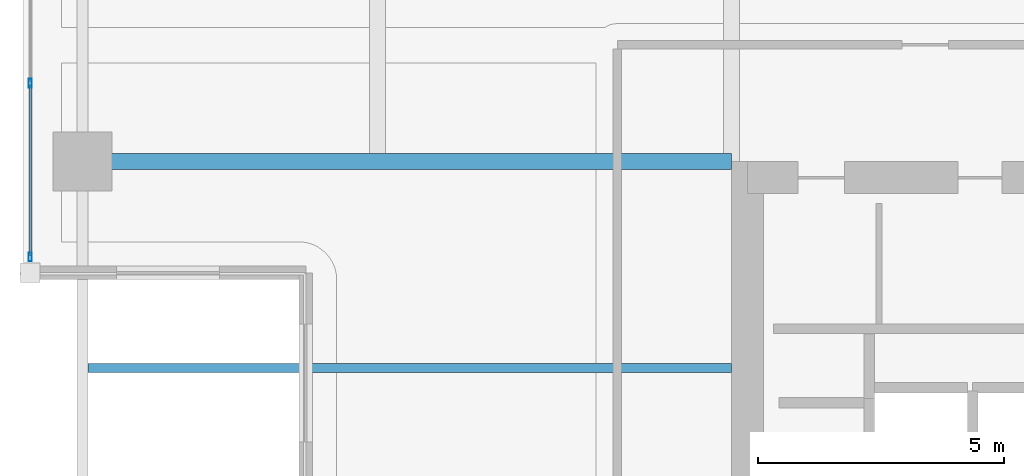
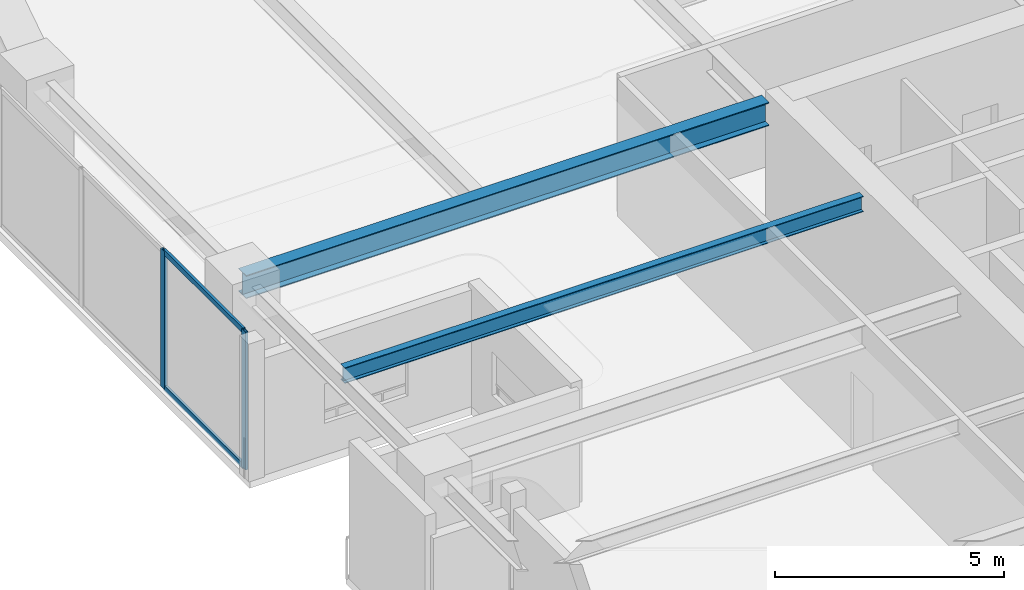
# One storey, part 2 of 26: 4 members, 2 beams, 1 element without a shape of its own.
"""IFC4 building model written with IfcOpenShell, lengths in metres."""

from ifc_helpers import new_model, si_unit, direction, frame, origin, origin_2d, place, context, subcontext, project, spatial, hollow_rectangle, i_section, extrude, material, layer, layer_set, material_profile, profile_set, type_object, element, aggregate, save


model = new_model("IFC4")

# Units and contexts
model_context = context("Model", 3, precision=1e-05, world=origin(), true_north=direction((0.0, 1.0)))
body_context = subcontext(model_context, "Body", "Model", "MODEL_VIEW")
ifc_project = project(units=[si_unit("LENGTHUNIT", "METRE"), si_unit("AREAUNIT", "SQUARE_METRE"), si_unit("VOLUMEUNIT", "CUBIC_METRE"), si_unit("PLANEANGLEUNIT", "RADIAN"), si_unit("MASSUNIT", "GRAM", prefix="KILO")], contexts=[model_context])

# Site, building, storey
site_placement = place(None, origin())
site = spatial("IfcSite", under=ifc_project, at=site_placement, CompositionType="ELEMENT")
building_placement = place(site_placement, origin())
building = spatial("IfcBuilding", under=site, at=building_placement, Name="Kiyonajd Concourse Tower", CompositionType="ELEMENT")
storey_placement = place(building_placement, frame((0.0, 0.0, 186.300048828125)))
storey = spatial("IfcBuildingStorey", under=building, at=storey_placement, Name="L47", CompositionType="ELEMENT", Elevation=186.300048828125)

# Beams
ifc_material_1 = material(Name="Steel ASTM A992 Grade 50", Category="steel")
ifc_material_profile_1 = material_profile(ifc_material_1, i_section(OverallWidth=0.180908203125, OverallDepth=0.4169921875, WebThickness=0.010986328125, FlangeThickness=0.018310546875, at=origin_2d()), Name="W410X85")
ifc_profile_set_1 = profile_set([ifc_material_profile_1], Name="Steel ASTM A992 Grade 50")
beam_type_1 = type_object("IfcBeamType", Name="BM-JST-410", PredefinedType="JOIST", material=ifc_profile_set_1)
beam_1_placement = place(storey_placement, frame((19.306884765625, 40.199951171875, 3.471435546875), z_axis=(1.0, 0.0, 0.0), x_axis=(0.0, 1.0, 0.0)))
element("IfcBeam", 1, at=beam_1_placement, inside=storey, type_object=beam_type_1, Name="L47 West Secondary Floor Joist", PredefinedType="JOIST", context=body_context, shape_type="SweptSolid", body=[
    extrude(i_section(OverallWidth=0.180908203125, OverallDepth=0.4169921875, WebThickness=0.010986328125, FlangeThickness=0.018310546875, at=origin_2d()), origin(), (0.0, 0.0, 1.0), 13.093017578125),
])
ifc_material_profile_2 = material_profile(ifc_material_1, i_section(OverallWidth=0.326904296875, OverallDepth=0.6220703125, WebThickness=0.015380859375, FlangeThickness=0.0244140625, at=origin_2d()), Name="W610X195")
ifc_profile_set_2 = profile_set([ifc_material_profile_2], Name="Steel ASTM A992 Grade 50")
beam_type_2 = type_object("IfcBeamType", Name="BM-TWR-610A", PredefinedType="BEAM", material=ifc_profile_set_2)
beam_2_placement = place(storey_placement, frame((19.199951171875, 44.39990234375, 3.368896484375), z_axis=(1.0, 0.0, 0.0), x_axis=(0.0, 1.0, 0.0)))
element("IfcBeam", 2, at=beam_2_placement, inside=storey, type_object=beam_type_2, Name="L47 West Lease Girder", PredefinedType="BEAM", context=body_context, shape_type="SweptSolid", body=[
    extrude(i_section(OverallWidth=0.326904296875, OverallDepth=0.6220703125, WebThickness=0.015380859375, FlangeThickness=0.0244140625, at=origin_2d()), origin(), (0.0, 0.0, 1.0), 13.199951171875),
])

# Curtain wall, members
ifc_material_2 = material(Name="Thermally Broken Anodised Aluminium", Category="aluminium")
ifc_layer = layer(ifc_material_2, 0.179931640625)
ifc_layer_set = layer_set([ifc_layer], Name="Thermally Broken Anodised Aluminium")
curtain_wall_type = type_object("IfcCurtainWallType", Name="CW-SYS-03", PredefinedType="NOTDEFINED", material=ifc_layer_set)
curtain_wall_placement = place(storey_placement, origin())
curtain_wall = element("IfcCurtainWall", 3, at=curtain_wall_placement, inside=storey, type_object=curtain_wall_type, Name="L47 Unitised Curtain Wall CW3", PredefinedType="NOTDEFINED")
ifc_material_profile_3 = material_profile(ifc_material_2, hollow_rectangle(XDim=0.06494140625, YDim=0.179931640625, WallThickness=0.00390625, at=origin_2d()), Name="MULL-65x180")
ifc_profile_set_3 = profile_set([ifc_material_profile_3], Name="Thermally Broken Anodised Aluminium")
member_type_1 = type_object("IfcMemberType", Name="MB-CW-MULL1", PredefinedType="MULLION", material=ifc_profile_set_3)
member_1_placement = place(storey_placement, frame((18.139892578125, 42.46240234375, 0.0), z_axis=(0.0, 0.0, 1.0), x_axis=(-1.0, 0.0, 0.0)))
member_1 = element("IfcMember", 4, at=member_1_placement, type_object=member_type_1, Name="CW3 mullion 1", PredefinedType="MULLION", context=body_context, shape_type="SweptSolid", body=[
    extrude(hollow_rectangle(XDim=0.06494140625, YDim=0.179931640625, WallThickness=0.00390625, at=origin_2d()), origin(), (0.0, 0.0, 1.0), 3.679931640625),
])
member_2_placement = place(storey_placement, frame((18.139892578125, 45.995361328125, 0.0), z_axis=(0.0, 0.0, 1.0), x_axis=(-1.0, 0.0, 0.0)))
member_2 = element("IfcMember", 5, at=member_2_placement, type_object=member_type_1, Name="CW3 mullion 2", PredefinedType="MULLION", context=body_context, shape_type="SweptSolid", body=[
    extrude(hollow_rectangle(XDim=0.06494140625, YDim=0.179931640625, WallThickness=0.00390625, at=origin_2d()), origin(), (0.0, 0.0, 1.0), 3.679931640625),
])
ifc_material_profile_4 = material_profile(ifc_material_2, hollow_rectangle(XDim=0.06494140625, YDim=0.139892578125, WallThickness=0.00390625, at=origin_2d()), Name="TRAN-65x140")
ifc_profile_set_4 = profile_set([ifc_material_profile_4], Name="Thermally Broken Anodised Aluminium")
member_type_2 = type_object("IfcMemberType", Name="MB-CW-TRAN1", PredefinedType="USERDEFINED", material=ifc_profile_set_4)
member_3_placement = place(storey_placement, frame((18.139892578125, 42.4951171875, 0.032470703125), z_axis=(0.0, 1.0, 0.0), x_axis=(-1.0, 0.0, 0.0)))
member_3 = element("IfcMember", 6, at=member_3_placement, type_object=member_type_2, Name="CW3 transom 1.1", ObjectType="TRANSOM", PredefinedType="USERDEFINED", context=body_context, shape_type="SweptSolid", body=[
    extrude(hollow_rectangle(XDim=0.06494140625, YDim=0.139892578125, WallThickness=0.00390625, at=origin_2d()), origin(), (0.0, 0.0, 1.0), 3.4677734375),
])
member_4_placement = place(storey_placement, frame((18.139892578125, 42.4951171875, 3.6474609375), z_axis=(0.0, 1.0, 0.0), x_axis=(-1.0, 0.0, 0.0)))
member_4 = element("IfcMember", 7, at=member_4_placement, type_object=member_type_2, Name="CW3 transom 1.2", ObjectType="TRANSOM", PredefinedType="USERDEFINED", context=body_context, shape_type="SweptSolid", body=[
    extrude(hollow_rectangle(XDim=0.06494140625, YDim=0.139892578125, WallThickness=0.00390625, at=origin_2d()), origin(), (0.0, 0.0, 1.0), 3.4677734375),
])
aggregate(curtain_wall, [member_1, member_2, member_3, member_4])

save(model, "model.ifc")
